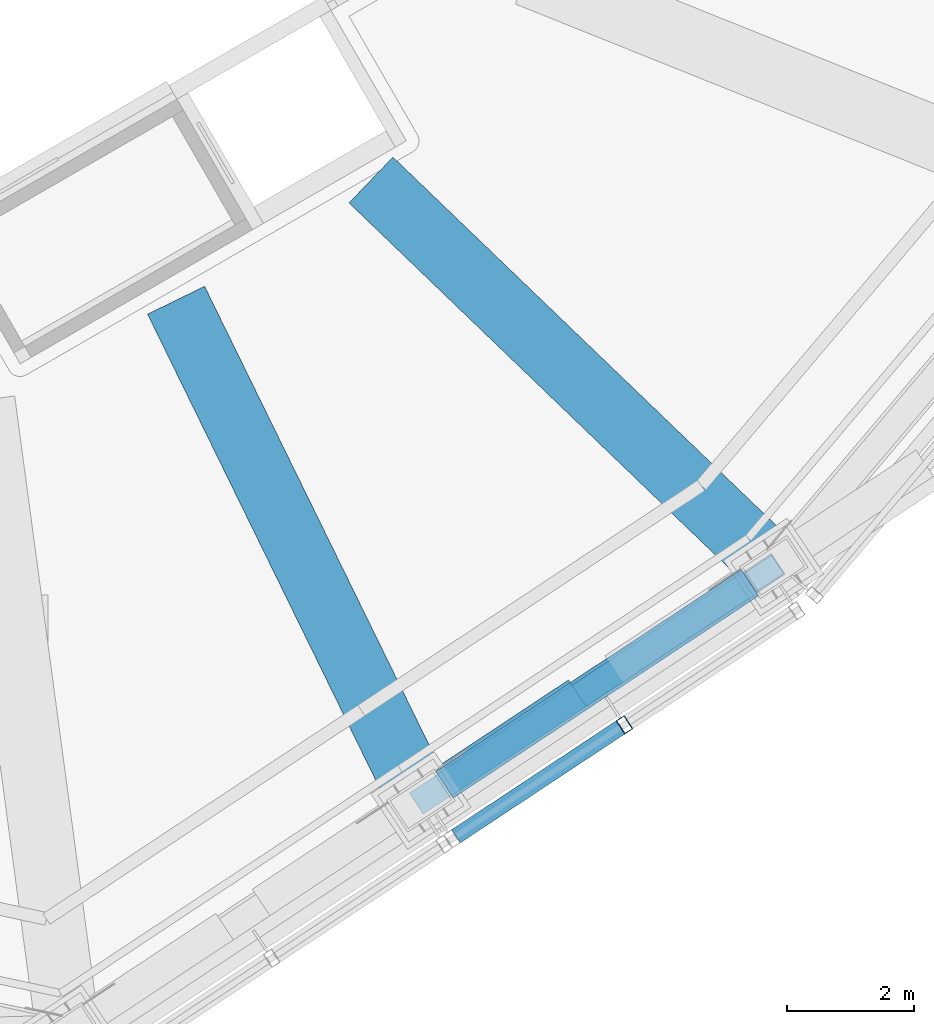
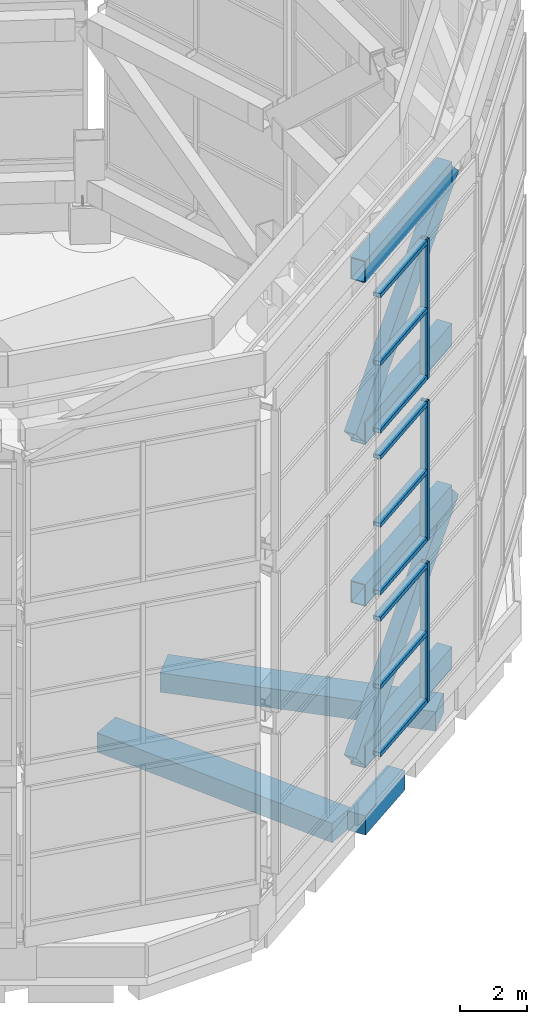
# One storey, part 6 of 46: 18 members, 3 beams, 3 elements without a shape of their own.
"""IFC4 building model written with IfcOpenShell, lengths in metres."""

from ifc_helpers import new_model, si_unit, direction, frame, origin, origin_2d, place, context, subcontext, project, spatial, rectangle, hollow_rectangle, extrude, material, material_profile, profile_set, type_object, element, aggregate, save


model = new_model("IFC4")

# Units and contexts
model_context = context("Model", 3, precision=1e-05, world=origin(), true_north=direction((0.0, 1.0)))
body_context = subcontext(model_context, "Body", "Model", "MODEL_VIEW")
ifc_project = project(units=[si_unit("LENGTHUNIT", "METRE"), si_unit("AREAUNIT", "SQUARE_METRE"), si_unit("VOLUMEUNIT", "CUBIC_METRE"), si_unit("PLANEANGLEUNIT", "RADIAN"), si_unit("MASSUNIT", "GRAM", prefix="KILO")], contexts=[model_context])

# Site, building, storey
site_placement = place(None, origin())
site = spatial("IfcSite", under=ifc_project, at=site_placement, CompositionType="ELEMENT")
building_placement = place(site_placement, origin())
building = spatial("IfcBuilding", under=site, at=building_placement, Name="Vanh Sen Convention Tower", CompositionType="ELEMENT")
storey_placement = place(building_placement, frame((0.0, 0.0, 305.0)))
storey = spatial("IfcBuildingStorey", under=building, at=storey_placement, Name="Roof level", CompositionType="ELEMENT", Elevation=305.0)

# Members
ifc_material_1 = material(Name="Steel S460", Category="steel")
ifc_material_profile_1 = material_profile(ifc_material_1, hollow_rectangle(XDim=0.39990234375, YDim=0.800048828125, WallThickness=0.02490234375, at=origin_2d()), Name="BOX 800X400X25")
ifc_profile_set_1 = profile_set([ifc_material_profile_1], Name="Steel S460")
member_type_1 = type_object("IfcMemberType", Name="Crown brace BOX 800X400X25", PredefinedType="BRACE", material=ifc_profile_set_1)
member_1_placement = place(storey_placement, frame((8.485595703125, -16.9287109375, 1.7451171875), z_axis=(0.610270564177, 0.403955168334, 0.681461708737), x_axis=(-0.551961587577, 0.833869537661, 0.0)))
element("IfcMember", 1, at=member_1_placement, inside=storey, type_object=member_type_1, Name="CROWN FRAME brace tier 1 span 17", PredefinedType="BRACE", context=body_context, shape_type="SweptSolid", body=[
    extrude(hollow_rectangle(XDim=0.39990234375, YDim=0.800048828125, WallThickness=0.02490234375, at=origin_2d()), origin(), (0.0, 0.0, 1.0), 8.611083984375),
])
member_2_placement = place(storey_placement, frame((8.485595703125, -16.9287109375, 13.481689453125), z_axis=(0.610258773477, 0.40394736374, 0.681476893755), x_axis=(-0.551961587577, 0.833869537661, 0.0)))
element("IfcMember", 2, at=member_2_placement, inside=storey, type_object=member_type_1, Name="CROWN FRAME brace tier 3 span 17", PredefinedType="BRACE", context=body_context, shape_type="SweptSolid", body=[
    extrude(hollow_rectangle(XDim=0.39990234375, YDim=0.800048828125, WallThickness=0.02490234375, at=origin_2d()), origin(), (0.0, 0.0, 1.0), 8.611328125),
])
ifc_material_profile_2 = material_profile(ifc_material_1, hollow_rectangle(XDim=0.5, YDim=0.800048828125, WallThickness=0.030029296875, at=origin_2d()), Name="BOX 800X500X30")
ifc_profile_set_2 = profile_set([ifc_material_profile_2], Name="Steel S460")
member_type_2 = type_object("IfcMemberType", Name="Crown ring beam BOX 800X500X30", PredefinedType="CHORD", material=ifc_profile_set_2)
for number, where, z_axis, x_axis, name in (
    (3, (8.7060546875, -16.78271484375, 1.7451171875), (0.833880399205, 0.551945178276, 0.0), (-0.551945178276, 0.833880399205, 0.0), "CROWN FRAME ring beam 1 span 17"),
    (4, (8.7060546875, -16.78271484375, 7.61328125), (0.833880399205, 0.551945178276, 0.0), (-0.551945178276, 0.833880399205, 0.0), "CROWN FRAME ring beam 2 span 17"),
    (5, (8.7060546875, -16.78271484375, 13.481689453125), (0.833880399205, 0.551945178276, 0.0), (-0.551945178276, 0.833880399205, 0.0), "CROWN FRAME ring beam 3 span 17"),
    (6, (8.7060546875, -16.78271484375, 19.35009765625), (0.833880399205, 0.551945178276, 0.0), (-0.551945178276, 0.833880399205, 0.0), "CROWN FRAME ring beam 4 span 17"),
):
    element("IfcMember", number, at=place(storey_placement, frame(where, z_axis=z_axis, x_axis=x_axis)), inside=storey, type_object=member_type_2, Name=name, PredefinedType="CHORD", context=body_context, shape_type="SweptSolid", body=[
        extrude(hollow_rectangle(XDim=0.5, YDim=0.800048828125, WallThickness=0.030029296875, at=origin_2d()), origin(), (0.0, 0.0, 1.0), 5.773193359375),
    ])

# Curtain wall, member
ifc_material_2 = material(Name="Concrete C60/75", Category="concrete")
curtain_wall_type = type_object("IfcCurtainWallType", Name="Crown screen", PredefinedType="NOTDEFINED", material=ifc_material_2)
curtain_wall_1_placement = place(storey_placement, origin())
curtain_wall_1 = element("IfcCurtainWall", 7, at=curtain_wall_1_placement, inside=storey, type_object=curtain_wall_type, Name="CROWN SCREEN 17 tier 1", PredefinedType="NOTDEFINED")
ifc_material_3 = material(Name="Steel S355", Category="steel")
ifc_material_profile_3 = material_profile(ifc_material_3, hollow_rectangle(XDim=0.25, YDim=0.14990234375, WallThickness=0.008056640625, at=origin_2d()), Name="RHS 250X150X8")
ifc_profile_set_3 = profile_set([ifc_material_profile_3], Name="Steel S355")
member_type_3 = type_object("IfcMemberType", Name="Crown screen mullion RHS 250X150X8", PredefinedType="MULLION", material=ifc_profile_set_3)
member_3_placement = place(storey_placement, frame((11.541015625, -15.835693359375, 2.14501953125), z_axis=(0.0, 0.0, 1.0), x_axis=(-0.551936888033, 0.833885886455, 0.0)))
member_3 = element("IfcMember", 8, at=member_3_placement, type_object=member_type_3, Name="CROWN SCREEN6 mullion 2", PredefinedType="MULLION", context=body_context, shape_type="SweptSolid", body=[
    extrude(hollow_rectangle(XDim=0.25, YDim=0.14990234375, WallThickness=0.008056640625, at=origin_2d()), origin(), (0.0, 0.0, 1.0), 5.068359375),
])

curtain_wall_2_placement = place(storey_placement, origin())
curtain_wall_2 = element("IfcCurtainWall", 9, at=curtain_wall_2_placement, inside=storey, type_object=curtain_wall_type, Name="CROWN SCREEN 17 tier 2", PredefinedType="NOTDEFINED")
member_4_placement = place(storey_placement, frame((11.541015625, -15.835693359375, 8.01318359375), z_axis=(0.0, 0.0, 1.0), x_axis=(-0.551936888033, 0.833885886455, 0.0)))
member_4 = element("IfcMember", 10, at=member_4_placement, type_object=member_type_3, Name="CROWN SCREEN6 mullion 2", PredefinedType="MULLION", context=body_context, shape_type="SweptSolid", body=[
    extrude(hollow_rectangle(XDim=0.25, YDim=0.14990234375, WallThickness=0.008056640625, at=origin_2d()), origin(), (0.0, 0.0, 1.0), 5.068603515625),
])

curtain_wall_3_placement = place(storey_placement, origin())
curtain_wall_3 = element("IfcCurtainWall", 11, at=curtain_wall_3_placement, inside=storey, type_object=curtain_wall_type, Name="CROWN SCREEN 17 tier 3", PredefinedType="NOTDEFINED")
member_5_placement = place(storey_placement, frame((11.541015625, -15.835693359375, 13.881591796875), z_axis=(0.0, 0.0, 1.0), x_axis=(-0.551936888033, 0.833885886455, 0.0)))
member_5 = element("IfcMember", 12, at=member_5_placement, type_object=member_type_3, Name="CROWN SCREEN6 mullion 2", PredefinedType="MULLION", context=body_context, shape_type="SweptSolid", body=[
    extrude(hollow_rectangle(XDim=0.25, YDim=0.14990234375, WallThickness=0.008056640625, at=origin_2d()), origin(), (0.0, 0.0, 1.0), 5.068359375),
])

# Member
ifc_material_profile_4 = material_profile(ifc_material_3, hollow_rectangle(XDim=0.25, YDim=0.14990234375, WallThickness=0.008056640625, at=origin_2d()), Name="RHS 250X150X8")
ifc_profile_set_4 = profile_set([ifc_material_profile_4], Name="Steel S355")
member_type_4 = type_object("IfcMemberType", Name="Crown screen transom RHS 250X150X8", PredefinedType="USERDEFINED", material=ifc_profile_set_4)
member_6_placement = place(storey_placement, frame((8.8876953125, -17.591796875, 2.219970703125), z_axis=(0.833895504345, 0.551922356707, 0.0), x_axis=(-0.551922356707, 0.833895504345, 0.0)))
member_6 = element("IfcMember", 13, at=member_6_placement, type_object=member_type_4, Name="CROWN SCREEN6 transom 1.1", ObjectType="TRANSOM", PredefinedType="USERDEFINED", context=body_context, shape_type="SweptSolid", body=[
    extrude(hollow_rectangle(XDim=0.25, YDim=0.14990234375, WallThickness=0.008056640625, at=origin_2d()), origin(), (0.0, 0.0, 1.0), 3.106689453125),
])

member_7_placement = place(storey_placement, frame((8.8876953125, -17.591796875, 4.67919921875), z_axis=(0.833895504345, 0.551922356707, 0.0), x_axis=(-0.551922356707, 0.833895504345, 0.0)))
member_7 = element("IfcMember", 14, at=member_7_placement, type_object=member_type_4, Name="CROWN SCREEN6 transom 1.2", ObjectType="TRANSOM", PredefinedType="USERDEFINED", context=body_context, shape_type="SweptSolid", body=[
    extrude(hollow_rectangle(XDim=0.25, YDim=0.14990234375, WallThickness=0.008056640625, at=origin_2d()), origin(), (0.0, 0.0, 1.0), 3.106689453125),
])

member_8_placement = place(storey_placement, frame((8.8876953125, -17.591796875, 7.13818359375), z_axis=(0.833895504345, 0.551922356707, 0.0), x_axis=(-0.551922356707, 0.833895504345, 0.0)))
member_8 = element("IfcMember", 15, at=member_8_placement, type_object=member_type_4, Name="CROWN SCREEN6 transom 1.3", ObjectType="TRANSOM", PredefinedType="USERDEFINED", context=body_context, shape_type="SweptSolid", body=[
    extrude(hollow_rectangle(XDim=0.25, YDim=0.14990234375, WallThickness=0.008056640625, at=origin_2d()), origin(), (0.0, 0.0, 1.0), 3.106689453125),
])

aggregate(curtain_wall_1, [member_3, member_6, member_7, member_8])

member_9_placement = place(storey_placement, frame((8.8876953125, -17.591796875, 8.08837890625), z_axis=(0.833895504345, 0.551922356707, 0.0), x_axis=(-0.551922356707, 0.833895504345, 0.0)))
member_9 = element("IfcMember", 16, at=member_9_placement, type_object=member_type_4, Name="CROWN SCREEN6 transom 1.1", ObjectType="TRANSOM", PredefinedType="USERDEFINED", context=body_context, shape_type="SweptSolid", body=[
    extrude(hollow_rectangle(XDim=0.25, YDim=0.14990234375, WallThickness=0.008056640625, at=origin_2d()), origin(), (0.0, 0.0, 1.0), 3.106689453125),
])

member_10_placement = place(storey_placement, frame((8.8876953125, -17.591796875, 10.547607421875), z_axis=(0.833895504345, 0.551922356707, 0.0), x_axis=(-0.551922356707, 0.833895504345, 0.0)))
member_10 = element("IfcMember", 17, at=member_10_placement, type_object=member_type_4, Name="CROWN SCREEN6 transom 1.2", ObjectType="TRANSOM", PredefinedType="USERDEFINED", context=body_context, shape_type="SweptSolid", body=[
    extrude(hollow_rectangle(XDim=0.25, YDim=0.14990234375, WallThickness=0.008056640625, at=origin_2d()), origin(), (0.0, 0.0, 1.0), 3.106689453125),
])

member_11_placement = place(storey_placement, frame((8.8876953125, -17.591796875, 13.006591796875), z_axis=(0.833895504345, 0.551922356707, 0.0), x_axis=(-0.551922356707, 0.833895504345, 0.0)))
member_11 = element("IfcMember", 18, at=member_11_placement, type_object=member_type_4, Name="CROWN SCREEN6 transom 1.3", ObjectType="TRANSOM", PredefinedType="USERDEFINED", context=body_context, shape_type="SweptSolid", body=[
    extrude(hollow_rectangle(XDim=0.25, YDim=0.14990234375, WallThickness=0.008056640625, at=origin_2d()), origin(), (0.0, 0.0, 1.0), 3.106689453125),
])

aggregate(curtain_wall_2, [member_4, member_9, member_10, member_11])

member_12_placement = place(storey_placement, frame((8.8876953125, -17.591796875, 13.956787109375), z_axis=(0.833895504345, 0.551922356707, 0.0), x_axis=(-0.551922356707, 0.833895504345, 0.0)))
member_12 = element("IfcMember", 19, at=member_12_placement, type_object=member_type_4, Name="CROWN SCREEN6 transom 1.1", ObjectType="TRANSOM", PredefinedType="USERDEFINED", context=body_context, shape_type="SweptSolid", body=[
    extrude(hollow_rectangle(XDim=0.25, YDim=0.14990234375, WallThickness=0.008056640625, at=origin_2d()), origin(), (0.0, 0.0, 1.0), 3.106689453125),
])

member_13_placement = place(storey_placement, frame((8.8876953125, -17.591796875, 16.415771484375), z_axis=(0.833895504345, 0.551922356707, 0.0), x_axis=(-0.551922356707, 0.833895504345, 0.0)))
member_13 = element("IfcMember", 20, at=member_13_placement, type_object=member_type_4, Name="CROWN SCREEN6 transom 1.2", ObjectType="TRANSOM", PredefinedType="USERDEFINED", context=body_context, shape_type="SweptSolid", body=[
    extrude(hollow_rectangle(XDim=0.25, YDim=0.14990234375, WallThickness=0.008056640625, at=origin_2d()), origin(), (0.0, 0.0, 1.0), 3.106689453125),
])

member_14_placement = place(storey_placement, frame((8.8876953125, -17.591796875, 18.875), z_axis=(0.833895504345, 0.551922356707, 0.0), x_axis=(-0.551922356707, 0.833895504345, 0.0)))
member_14 = element("IfcMember", 21, at=member_14_placement, type_object=member_type_4, Name="CROWN SCREEN6 transom 1.3", ObjectType="TRANSOM", PredefinedType="USERDEFINED", context=body_context, shape_type="SweptSolid", body=[
    extrude(hollow_rectangle(XDim=0.25, YDim=0.14990234375, WallThickness=0.008056640625, at=origin_2d()), origin(), (0.0, 0.0, 1.0), 3.106689453125),
])

aggregate(curtain_wall_3, [member_5, member_12, member_13, member_14])

# Beams
ifc_material_4 = material(Name="Concrete C50/60", Category="concrete")
ifc_material_profile_5 = material_profile(ifc_material_4, rectangle(XDim=1.0, YDim=0.699951171875, at=origin_2d()), Name="RC 1000X700")
ifc_profile_set_5 = profile_set([ifc_material_profile_5], Name="Concrete C50/60")
beam_type_1 = type_object("IfcBeamType", Name="Radial floor beam 1000 x 700", PredefinedType="BEAM", material=ifc_profile_set_5)
beam_1_placement = place(storey_placement, frame((8.181884765625, -16.7158203125, -0.64990234375), z_axis=(-0.43962945739, 0.898179236119, 0.0), x_axis=(-0.898179236119, -0.43962945739, 0.0)))
element("IfcBeam", 22, at=beam_1_placement, inside=storey, type_object=beam_type_1, Name="Radial beam 17 Roof level", PredefinedType="BEAM", context=body_context, shape_type="SweptSolid", body=[
    extrude(rectangle(XDim=1.0, YDim=0.699951171875, at=origin_2d()), origin(), (0.0, 0.0, 1.0), 8.426025390625),
])
beam_2_placement = place(storey_placement, frame((13.63623046875, -13.10546875, -0.64990234375), z_axis=(-0.721004158524, 0.692930734916, 0.0), x_axis=(-0.692930734916, -0.721004158524, 0.0)))
element("IfcBeam", 23, at=beam_2_placement, inside=storey, type_object=beam_type_1, Name="Radial beam 18 Roof level", PredefinedType="BEAM", context=body_context, shape_type="SweptSolid", body=[
    extrude(rectangle(XDim=1.0, YDim=0.699951171875, at=origin_2d()), origin(), (0.0, 0.0, 1.0), 8.4443359375),
])
ifc_material_profile_6 = material_profile(ifc_material_4, rectangle(XDim=0.60009765625, YDim=0.699951171875, at=origin_2d()), Name="RC 600X700")
ifc_profile_set_6 = profile_set([ifc_material_profile_6], Name="Concrete C50/60")
beam_type_2 = type_object("IfcBeamType", Name="Spandrel beam 600 x 700", PredefinedType="SPANDREL", material=ifc_profile_set_6)
beam_3_placement = place(storey_placement, frame((8.62255859375, -16.837890625, -0.64990234375), z_axis=(0.833894049219, 0.55192455524, 0.0), x_axis=(-0.55192455524, 0.833894049219, 0.0)))
element("IfcBeam", 24, at=beam_3_placement, inside=storey, type_object=beam_type_2, Name="Spandrel beam 33 Roof level", PredefinedType="SPANDREL", context=body_context, shape_type="SweptSolid", body=[
    extrude(rectangle(XDim=0.60009765625, YDim=0.699951171875, at=origin_2d()), origin(), (0.0, 0.0, 1.0), 2.6416015625),
])

save(model, "model.ifc")
